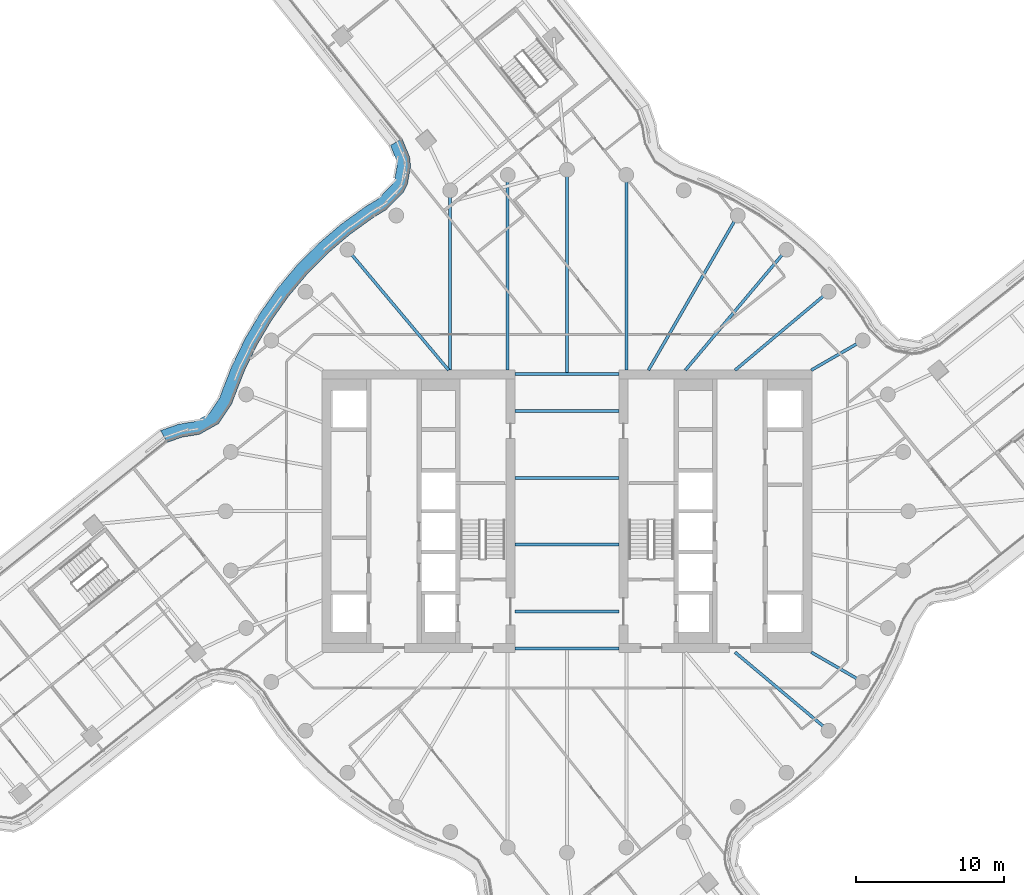
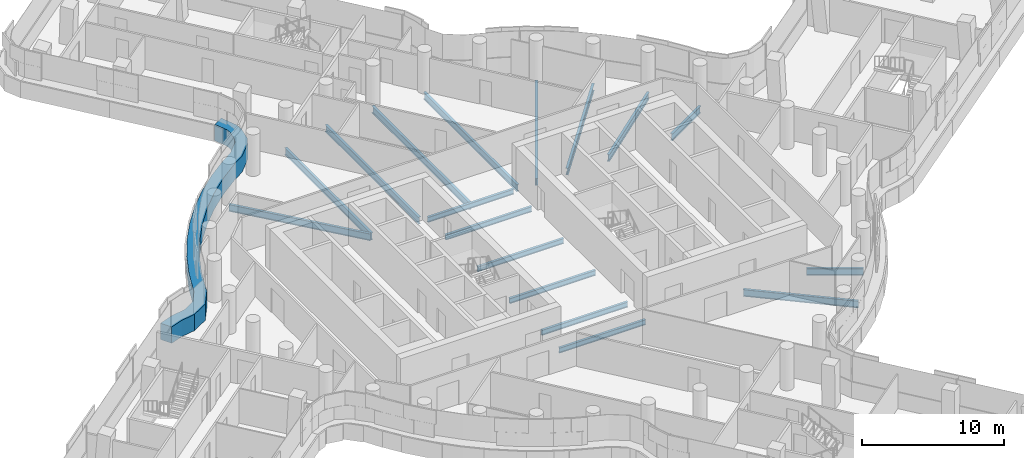
# One storey, part 9 of 31: 17 beams, 1 member, 1 element without a shape of its own.
"""IFC4 building model written with IfcOpenShell, lengths in metres."""

from ifc_helpers import new_model, si_unit, direction, frame, origin, origin_2d, place, context, subcontext, project, spatial, polyline, i_section, outline, extrude, material, layer, layer_set, material_profile, profile_set, type_object, element, aggregate, save


model = new_model("IFC4")

# Units and contexts
model_context = context("Model", 3, precision=1e-05, world=origin(), true_north=direction((0.0, 1.0)))
body_context = subcontext(model_context, "Body", "Model", "MODEL_VIEW")
ifc_project = project(units=[si_unit("LENGTHUNIT", "METRE"), si_unit("AREAUNIT", "SQUARE_METRE"), si_unit("VOLUMEUNIT", "CUBIC_METRE"), si_unit("PLANEANGLEUNIT", "RADIAN"), si_unit("MASSUNIT", "GRAM", prefix="KILO")], contexts=[model_context])

# Site, building, storey
site_placement = place(None, origin())
site = spatial("IfcSite", under=ifc_project, at=site_placement, CompositionType="ELEMENT")
building_placement = place(site_placement, origin())
building = spatial("IfcBuilding", under=site, at=building_placement, Name="Tamarind Cross Interchange Tower", CompositionType="ELEMENT")
storey_placement = place(building_placement, frame((0.0, 0.0, 174.25)))
storey = spatial("IfcBuildingStorey", under=building, at=storey_placement, Name="L43", CompositionType="ELEMENT", Elevation=174.25)

# Beams
ifc_material_1 = material(Name="Steel Q355B", Category="steel")
ifc_material_profile_1 = material_profile(ifc_material_1, i_section(OverallWidth=0.198974609375, OverallDepth=0.446044921875, WebThickness=0.008056640625, FlangeThickness=0.011962890625, FilletRadius=0.012939453125, at=origin_2d()), Name="HN 446x199x8x12")
ifc_profile_set_1 = profile_set([ifc_material_profile_1], Name="Steel Q355B")
beam_type_1 = type_object("IfcBeamType", Name="Composite beam HN 446x199x8x12 Q355B", PredefinedType="BEAM", material=ifc_profile_set_1)
for number, where, z_axis, x_axis, name in (
    (1, (-3.5, -2.25, -0.363037109375), (1.0, 0.0, 0.0), (0.0, 1.0, 0.0), "Beam G-2.25"),
    (2, (-3.5, -6.75, -0.363037109375), (1.0, 0.0, 0.0), (0.0, 1.0, 0.0), "Beam G-6.75"),
    (3, (-3.5, -9.25, -0.363037109375), (1.0, 0.0, 0.0), (0.0, 1.0, 0.0), "Beam G-9.25"),
    (4, (-3.5, 2.25, -0.363037109375), (1.0, 0.0, 0.0), (0.0, 1.0, 0.0), "Beam G2.25"),
    (5, (-3.5, 6.75, -0.363037109375), (1.0, 0.0, 0.0), (0.0, 1.0, 0.0), "Beam G6.75"),
    (6, (-3.5, 9.25, -0.363037109375), (1.0, 0.0, 0.0), (0.0, 1.0, 0.0), "Beam G9.25"),
):
    element("IfcBeam", number, at=place(storey_placement, frame(where, z_axis=z_axis, x_axis=x_axis)), inside=storey, type_object=beam_type_1, Name=name, PredefinedType="BEAM", context=body_context, shape_type="SweptSolid", body=[
        extrude(i_section(OverallWidth=0.198974609375, OverallDepth=0.446044921875, WebThickness=0.008056640625, FlangeThickness=0.011962890625, FilletRadius=0.012939453125, at=origin_2d()), origin(), (0.0, 0.0, 1.0), 7.0),
    ])
ifc_material_profile_2 = material_profile(ifc_material_1, i_section(OverallWidth=0.198974609375, OverallDepth=0.595947265625, WebThickness=0.010009765625, FlangeThickness=0.014892578125, FilletRadius=0.012939453125, at=origin_2d()), Name="HN 596x199x10x15")
ifc_profile_set_2 = profile_set([ifc_material_profile_2], Name="Steel Q355B")
beam_type_2 = type_object("IfcBeamType", Name="Composite beam HN 596x199x10x15 Q355B", PredefinedType="BEAM", material=ifc_profile_set_2)
beam_1_placement = place(storey_placement, frame((19.918701171875, 11.5, -0.43798828125), z_axis=(-0.866026010844, -0.49999894854, 0.0), x_axis=(0.49999894854, -0.866026010844, 0.0)))
element("IfcBeam", 7, at=beam_1_placement, inside=storey, type_object=beam_type_2, Name="Beam HH03", PredefinedType="BEAM", context=body_context, shape_type="SweptSolid", body=[
    extrude(i_section(OverallWidth=0.198974609375, OverallDepth=0.595947265625, WebThickness=0.010009765625, FlangeThickness=0.014892578125, FilletRadius=0.012939453125, at=origin_2d()), origin(), (0.0, 0.0, 1.0), 4.0),
])
beam_2_placement = place(storey_placement, frame((17.619140625, 14.7841796875, -0.43798828125), z_axis=(-0.766040580814, -0.642792212574, 0.0), x_axis=(0.642792212574, -0.766040580814, 0.0)))
element("IfcBeam", 8, at=beam_2_placement, inside=storey, type_object=beam_type_2, Name="Beam HH04", PredefinedType="BEAM", context=body_context, shape_type="SweptSolid", body=[
    extrude(i_section(OverallWidth=0.198974609375, OverallDepth=0.595947265625, WebThickness=0.010009765625, FlangeThickness=0.014892578125, FilletRadius=0.012939453125, at=origin_2d()), origin(), (0.0, 0.0, 1.0), 8.220703125),
])
beam_3_placement = place(storey_placement, frame((14.7841796875, 17.619140625, -0.43798828125), z_axis=(-0.642786293979, -0.766045547127, 0.0), x_axis=(0.766045547127, -0.642786293979, 0.0)))
element("IfcBeam", 9, at=beam_3_placement, inside=storey, type_object=beam_type_2, Name="Beam HH05", PredefinedType="BEAM", context=body_context, shape_type="SweptSolid", body=[
    extrude(i_section(OverallWidth=0.198974609375, OverallDepth=0.595947265625, WebThickness=0.010009765625, FlangeThickness=0.014892578125, FilletRadius=0.012939453125, at=origin_2d()), origin(), (0.0, 0.0, 1.0), 10.598876953125),
])
beam_4_placement = place(storey_placement, frame((11.5, 19.918701171875, -0.43798828125), z_axis=(-0.499993565836, -0.866029118519, 0.0), x_axis=(0.866029118519, -0.499993565836, 0.0)))
element("IfcBeam", 10, at=beam_4_placement, inside=storey, type_object=beam_type_2, Name="Beam HH06", PredefinedType="BEAM", context=body_context, shape_type="SweptSolid", body=[
    extrude(i_section(OverallWidth=0.198974609375, OverallDepth=0.595947265625, WebThickness=0.010009765625, FlangeThickness=0.014892578125, FilletRadius=0.012939453125, at=origin_2d()), origin(), (0.0, 0.0, 1.0), 12.030517578125),
])
beam_5_placement = place(storey_placement, frame((3.993896484375, 22.650634765625, -0.43798828125), z_axis=(0.0, -1.0, 0.0), x_axis=(1.0, 0.0, 0.0)))
element("IfcBeam", 11, at=beam_5_placement, inside=storey, type_object=beam_type_2, Name="Beam HH08", PredefinedType="BEAM", context=body_context, shape_type="SweptSolid", body=[
    extrude(i_section(OverallWidth=0.198974609375, OverallDepth=0.595947265625, WebThickness=0.010009765625, FlangeThickness=0.014892578125, FilletRadius=0.012939453125, at=origin_2d()), origin(), (0.0, 0.0, 1.0), 13.150634765625),
])
beam_6_placement = place(storey_placement, frame((0.0, 23.0, -0.43798828125), z_axis=(0.0, -1.0, 0.0), x_axis=(1.0, 0.0, 0.0)))
element("IfcBeam", 12, at=beam_6_placement, inside=storey, type_object=beam_type_2, Name="Beam HH09", PredefinedType="BEAM", context=body_context, shape_type="SweptSolid", body=[
    extrude(i_section(OverallWidth=0.198974609375, OverallDepth=0.595947265625, WebThickness=0.010009765625, FlangeThickness=0.014892578125, FilletRadius=0.012939453125, at=origin_2d()), origin(), (0.0, 0.0, 1.0), 13.75),
])
beam_7_placement = place(storey_placement, frame((-3.993896484375, 22.650634765625, -0.43798828125), z_axis=(0.0, -1.0, 0.0), x_axis=(1.0, 0.0, 0.0)))
element("IfcBeam", 13, at=beam_7_placement, inside=storey, type_object=beam_type_2, Name="Beam HH10", PredefinedType="BEAM", context=body_context, shape_type="SweptSolid", body=[
    extrude(i_section(OverallWidth=0.198974609375, OverallDepth=0.595947265625, WebThickness=0.010009765625, FlangeThickness=0.014892578125, FilletRadius=0.012939453125, at=origin_2d()), origin(), (0.0, 0.0, 1.0), 13.150634765625),
])
beam_8_placement = place(storey_placement, frame((-7.866455078125, 21.613037109375, -0.43798828125), z_axis=(0.0, -1.0, 0.0), x_axis=(1.0, 0.0, 0.0)))
element("IfcBeam", 14, at=beam_8_placement, inside=storey, type_object=beam_type_2, Name="Beam HH11", PredefinedType="BEAM", context=body_context, shape_type="SweptSolid", body=[
    extrude(i_section(OverallWidth=0.198974609375, OverallDepth=0.595947265625, WebThickness=0.010009765625, FlangeThickness=0.014892578125, FilletRadius=0.012939453125, at=origin_2d()), origin(), (0.0, 0.0, 1.0), 12.113037109375),
])
beam_9_placement = place(storey_placement, frame((-14.7841796875, 17.619140625, -0.43798828125), z_axis=(0.642786293979, -0.766045547127, 0.0), x_axis=(0.766045547127, 0.642786293979, 0.0)))
element("IfcBeam", 15, at=beam_9_placement, inside=storey, type_object=beam_type_2, Name="Beam HH13", PredefinedType="BEAM", context=body_context, shape_type="SweptSolid", body=[
    extrude(i_section(OverallWidth=0.198974609375, OverallDepth=0.595947265625, WebThickness=0.010009765625, FlangeThickness=0.014892578125, FilletRadius=0.012939453125, at=origin_2d()), origin(), (0.0, 0.0, 1.0), 10.598876953125),
])
beam_10_placement = place(storey_placement, frame((17.619140625, -14.7841796875, -0.43798828125), z_axis=(-0.766040580814, 0.642792212574, 0.0), x_axis=(-0.642792212574, -0.766040580814, 0.0)))
element("IfcBeam", 16, at=beam_10_placement, inside=storey, type_object=beam_type_2, Name="Beam HH32", PredefinedType="BEAM", context=body_context, shape_type="SweptSolid", body=[
    extrude(i_section(OverallWidth=0.198974609375, OverallDepth=0.595947265625, WebThickness=0.010009765625, FlangeThickness=0.014892578125, FilletRadius=0.012939453125, at=origin_2d()), origin(), (0.0, 0.0, 1.0), 8.220703125),
])
beam_11_placement = place(storey_placement, frame((19.918701171875, -11.5, -0.43798828125), z_axis=(-0.866026010844, 0.49999894854, 0.0), x_axis=(-0.49999894854, -0.866026010844, 0.0)))
element("IfcBeam", 17, at=beam_11_placement, inside=storey, type_object=beam_type_2, Name="Beam HH33", PredefinedType="BEAM", context=body_context, shape_type="SweptSolid", body=[
    extrude(i_section(OverallWidth=0.198974609375, OverallDepth=0.595947265625, WebThickness=0.010009765625, FlangeThickness=0.014892578125, FilletRadius=0.012939453125, at=origin_2d()), origin(), (0.0, 0.0, 1.0), 4.0),
])

# Curtain wall, member
ifc_material_2 = material(Name="Aluminium 6063-T6", Category="aluminium")
ifc_layer = layer(ifc_material_2, 0.159912109375)
ifc_layer_set = layer_set([ifc_layer], Name="Aluminium 6063-T6")
curtain_wall_type = type_object("IfcCurtainWallType", Name="Office curtain wall, 9.0 m bays", PredefinedType="NOTDEFINED", material=ifc_layer_set)
curtain_wall_placement = place(storey_placement, origin())
curtain_wall = element("IfcCurtainWall", 18, at=curtain_wall_placement, inside=storey, type_object=curtain_wall_type, Name="CWS-L43-14", PredefinedType="NOTDEFINED")
ifc_material_3 = material(Name="Aluminium and insulated spandrel panel", Category="aluminium")
member_type = type_object("IfcMemberType", Name="Floor-edge blade transom", PredefinedType="USERDEFINED", material=ifc_material_3)
member_placement = place(storey_placement, origin())
member = element("IfcMember", 19, at=member_placement, type_object=member_type, Name="CWT-L43-14", ObjectType="TRANSOM", PredefinedType="USERDEFINED", context=body_context, shape_type="SweptSolid", body=[
    extrude(outline(polyline([(-11.109375, 25.097900390625), (-10.599365234375, 23.857177734375), (-10.532470703125, 23.224365234375), (-10.746337890625, 22.0458984375), (-11.03271484375, 21.473388671875), (-12.16650390625, 20.3154296875), (-13.045166015625, 19.78173828125), (-14.634521484375, 18.636474609375), (-16.12353515625, 17.3642578125), (-17.50244140625, 15.973388671875), (-18.76171875, 14.4736328125), (-19.892822265625, 12.874755859375), (-20.88818359375, 11.188232421875), (-21.740966796875, 9.42431640625), (-22.38134765625, 7.782958984375), (-22.590576171875, 7.210693359375), (-23.474609375, 5.896484375), (-24.770751953125, 5.173828125), (-25.92919921875, 4.988525390625), (-26.933837890625, 4.633056640625), (-27.377197265625, 5.430908203125), (-26.15234375, 5.8642578125), (-25.070068359375, 6.037353515625), (-24.10107421875, 6.57763671875), (-23.3984375, 7.622314453125), (-23.223388671875, 8.10107421875), (-22.566650390625, 9.784423828125), (-21.68212890625, 11.613525390625), (-20.64892578125, 13.3642578125), (-19.474853515625, 15.023681640625), (-18.167724609375, 16.580810546875), (-16.736572265625, 18.0244140625), (-15.19091796875, 19.344970703125), (-13.54248046875, 20.532470703125), (-12.73046875, 21.02587890625), (-11.7744140625, 22.002197265625), (-11.60888671875, 22.333251953125), (-11.441162109375, 23.258056640625), (-11.48095703125, 23.63427734375), (-11.893310546875, 24.637451171875), (-11.109375, 25.097900390625)])), origin(), (0.0, 0.0, 1.0), 1.39990234375),
])
aggregate(curtain_wall, [member])

save(model, "model.ifc")
